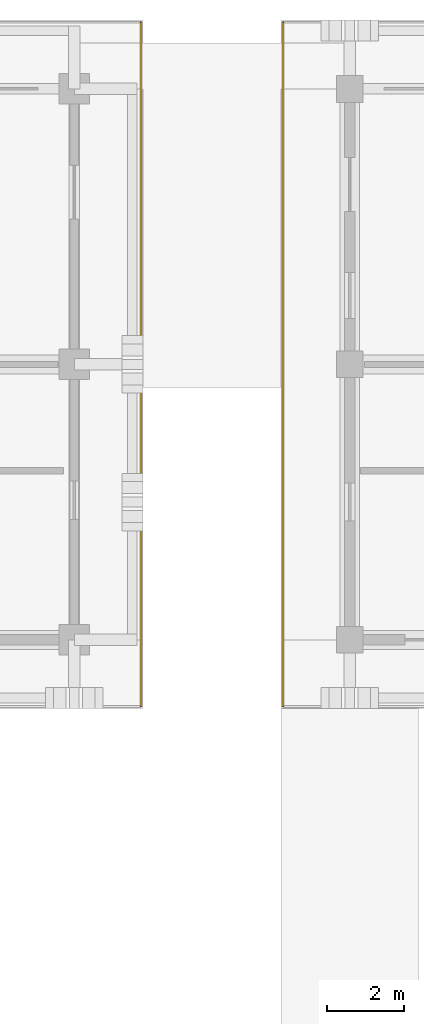
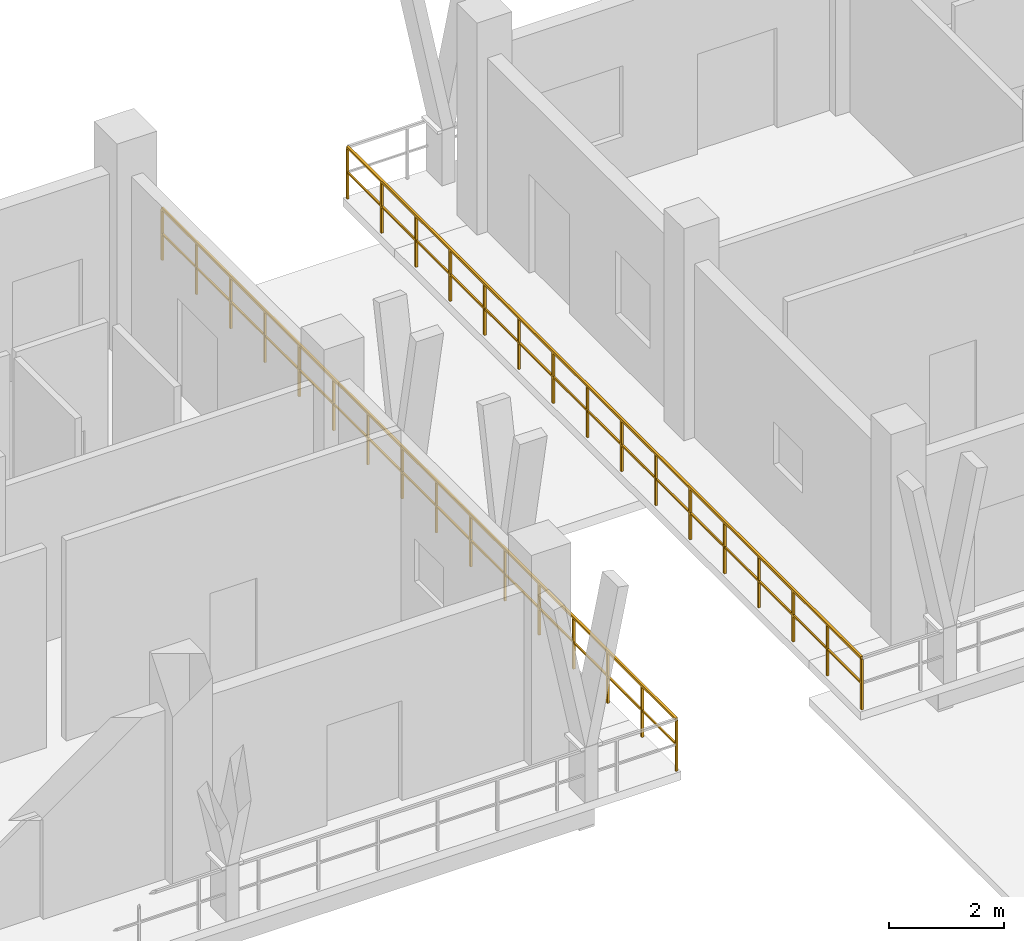
# One storey, part 103 of 110: 2 railings.
"""IFC4 building model written with IfcOpenShell, lengths in metres."""

import ifcopenshell
import ifcopenshell.guid

model = None  # the IFC model being written
_history = None  # IfcOwnerHistory: only IFC2X3 demands one
_inside = {}  # id of a spatial element -> (the spatial element, [elements in it])
_under = {}  # id of a project, library or spatial element -> (it, [spatial elements below it])
_declared = {}  # id of a project -> (the project, [libraries it declares])
_typed = {}  # id of a type object -> (the type object, [elements of that type])
_made_of = {}  # id of a material, layer set ... -> (it, [elements and type objects made of it])


def new_model(schema):
    """Start an empty IFC model of exactly this schema.

    Asked for "IFC4X3", IfcOpenShell would pick the latest addendum, in which some entities
    have other attributes; the version numbers below select the first issue.
    IFC2X3 requires an IfcOwnerHistory on every rooted entity: one is made here for all.
    """
    global model, _history
    if schema == "IFC4X3":
        model = ifcopenshell.file(schema_version=(4, 3, 0, 0))
    else:
        model = ifcopenshell.file(schema=schema)
    _inside.clear()
    _under.clear()
    _declared.clear()
    _typed.clear()
    _made_of.clear()
    _history = None
    if model.schema == "IFC2X3":
        org = make("IfcOrganization", Name="unknown")
        user = make(
            "IfcPersonAndOrganization",
            ThePerson=make("IfcPerson", FamilyName="unknown"),
            TheOrganization=org,
        )
        app = make(
            "IfcApplication",
            ApplicationDeveloper=org,
            Version="unknown",
            ApplicationFullName="unknown",
            ApplicationIdentifier="unknown",
        )
        _history = make(
            "IfcOwnerHistory",
            OwningUser=user,
            OwningApplication=app,
            ChangeAction="ADDED",
            CreationDate=0,
        )
    return model


def make(cls, **values):
    """One entity of the class cls with the attributes given. An attribute that is None is left unset."""
    return model.create_entity(
        cls, **{name: value for name, value in values.items() if value is not None}
    )


def rooted(cls, **values):
    """An entity with a GlobalId (a new one), such as an element, a storey or a relation."""
    return make(cls, GlobalId=ifcopenshell.guid.new(), OwnerHistory=_history, **values)


def si_unit(unit_type, name, prefix=None):
    """IfcSIUnit, for example si_unit("LENGTHUNIT", "METRE", prefix="MILLI")."""
    return make("IfcSIUnit", UnitType=unit_type, Prefix=prefix, Name=name)


def assignment(units):
    """IfcUnitAssignment: the units of a project."""
    return None if units is None else make("IfcUnitAssignment", Units=units)


def point(xyz):
    """IfcCartesianPoint."""
    return None if xyz is None else make("IfcCartesianPoint", Coordinates=xyz)


def direction(xyz):
    """IfcDirection."""
    return None if xyz is None else make("IfcDirection", DirectionRatios=xyz)


def frame(location, z_axis=None, x_axis=None):
    """IfcAxis2Placement3D, a coordinate frame: its origin and axes. An axis left out is left unset."""
    return make(
        "IfcAxis2Placement3D",
        Location=point(location),
        Axis=direction(z_axis),
        RefDirection=direction(x_axis),
    )


def frame_2d(location, x_axis=None):
    """IfcAxis2Placement2D, a coordinate frame in the plane: its origin and x axis."""
    return make(
        "IfcAxis2Placement2D", Location=point(location), RefDirection=direction(x_axis)
    )


def origin():
    """The frame at (0, 0, 0) with its axes left unset."""
    return frame((0.0, 0.0, 0.0))


def origin_2d():
    """The frame at (0, 0) in the plane with its x axis left unset."""
    return frame_2d((0.0, 0.0))


def place(relative_to, where):
    """IfcLocalPlacement: puts the frame where relative to a parent placement (None: the world)."""
    return make(
        "IfcLocalPlacement", PlacementRelTo=relative_to, RelativePlacement=where
    )


def context(
    kind, dimensions, precision=None, world=None, true_north=None, identifier=None
):
    """IfcGeometricRepresentationContext, for example the 3D "Model" context."""
    return make(
        "IfcGeometricRepresentationContext",
        ContextIdentifier=identifier,
        ContextType=kind,
        CoordinateSpaceDimension=dimensions,
        Precision=precision,
        WorldCoordinateSystem=world,
        TrueNorth=true_north,
    )


def subcontext(parent, identifier, kind, view, scale=None):
    """IfcGeometricRepresentationSubContext, for example "Body" below "Model"."""
    return make(
        "IfcGeometricRepresentationSubContext",
        ContextIdentifier=identifier,
        ContextType=kind,
        ParentContext=parent,
        TargetScale=scale,
        TargetView=view,
    )


def project(units=None, contexts=None):
    """IfcProject with its units and contexts."""
    return rooted(
        "IfcProject",
        Name="project",
        RepresentationContexts=contexts,
        UnitsInContext=assignment(units),
    )


def spatial(cls, under=None, at=None, **own):
    """A site, building, storey or space (cls), placed at a placement, below another one or the project."""
    s = rooted(cls, ObjectPlacement=at, **own)
    if under is not None:
        _under.setdefault(under.id(), (under, []))[1].append(s)
    return s


def profile(cls, at=None, kind="AREA", **sizes):
    """A parametric profile (cls). Its sizes go by their IFC names, for example OverallWidth=200.0."""
    return make(cls, ProfileType=kind, Position=at, **sizes)


def rectangle(**sizes):
    """IfcRectangleProfileDef."""
    return profile("IfcRectangleProfileDef", **sizes)


def extrude(swept, where, along, depth):
    """IfcExtrudedAreaSolid: the profile swept, set in the frame where, extruded along a direction by depth."""
    return make(
        "IfcExtrudedAreaSolid",
        SweptArea=swept,
        Position=where,
        ExtrudedDirection=direction(along),
        Depth=depth,
    )


def shape(context_of_items, identifier, shape_type, items):
    """IfcShapeRepresentation: the items that make up one representation, for example the "Body"."""
    return make(
        "IfcShapeRepresentation",
        ContextOfItems=context_of_items,
        RepresentationIdentifier=identifier,
        RepresentationType=shape_type,
        Items=items,
    )


def material(Name=None, Category=None):
    """IfcMaterial."""
    return make("IfcMaterial", Name=Name, Category=Category)


def made_of(thing, what):
    """Note that an element or type object is made of a material, layer set ...; save() writes the relation."""
    if what is not None:
        _made_of.setdefault(what.id(), (what, []))[1].append(thing)
    return thing


def type_object(cls, material=None, **own):
    """A type object (cls), such as IfcWallType, which elements share."""
    return made_of(rooted(cls, **own), material)


def element(
    cls,
    number,
    at=None,
    inside=None,
    cuts=None,
    type_object=None,
    material=None,
    context=None,
    identifier="Body",
    shape_type=None,
    held_by="IfcProductDefinitionShape",
    body=None,
    shapes=None,
    **own,
):
    """One element of the class cls, such as IfcWall. Its Tag is "e" and its number.

    at: its placement. inside: the storey or other place that contains it. cuts: it is an
    opening in that element (IfcRelVoidsElement). A single representation is given by context,
    identifier, shape_type and body (its items); several are given by shapes. held_by: the class
    of the entity that holds the representations. save() writes the other relations.
    """
    e = rooted(cls, Tag="e%d" % number, ObjectPlacement=at, **own)
    if body is not None:
        shapes = [shape(context, identifier, shape_type, body)]
    if shapes is not None:
        e.Representation = make(held_by, Representations=shapes)
    if inside is not None:
        _inside.setdefault(inside.id(), (inside, []))[1].append(e)
    if cuts is not None:
        rooted(
            "IfcRelVoidsElement", RelatingBuildingElement=cuts, RelatedOpeningElement=e
        )
    if type_object is not None:
        _typed.setdefault(type_object.id(), (type_object, []))[1].append(e)
    return made_of(e, material)


def aggregate(whole, parts):
    """IfcRelAggregates: a whole, such as a stair, and the parts it consists of."""
    return rooted("IfcRelAggregates", RelatingObject=whole, RelatedObjects=parts)


def save(model, path):
    """Write the relations noted so far, then the file.

    IfcRelAggregates (storeys below a building ...), IfcRelContainedInSpatialStructure (elements
    in a storey), IfcRelDefinesByType, IfcRelAssociatesMaterial and IfcRelDeclares: one each for
    every whole, place, type object, material and project.
    """
    for whole, parts in _under.values():
        aggregate(whole, parts)
    for where, things in _inside.values():
        rooted(
            "IfcRelContainedInSpatialStructure",
            RelatedElements=things,
            RelatingStructure=where,
        )
    for kind, things in _typed.values():
        rooted("IfcRelDefinesByType", RelatedObjects=things, RelatingType=kind)
    for what, things in _made_of.values():
        rooted("IfcRelAssociatesMaterial", RelatedObjects=things, RelatingMaterial=what)
    for by, libraries in _declared.values():
        rooted("IfcRelDeclares", RelatingContext=by, RelatedDefinitions=libraries)
    model.write(path)


model = new_model("IFC4")

# Units and contexts
model_context = context("Model", 3, precision=1e-05, world=origin(), true_north=direction((0.0, 1.0)))
body_context = subcontext(model_context, "Body", "Model", "MODEL_VIEW")
ifc_project = project(units=[si_unit("LENGTHUNIT", "METRE"), si_unit("AREAUNIT", "SQUARE_METRE"), si_unit("VOLUMEUNIT", "CUBIC_METRE"), si_unit("PLANEANGLEUNIT", "RADIAN"), si_unit("MASSUNIT", "GRAM", prefix="KILO")], contexts=[model_context])

# Site, building, storey
site_placement = place(None, origin())
site = spatial("IfcSite", under=ifc_project, at=site_placement, CompositionType="ELEMENT")
building_placement = place(site_placement, origin())
building = spatial("IfcBuilding", under=site, at=building_placement, Name="Suanplinth Sawtooth Commons", CompositionType="ELEMENT")
storey_placement = place(building_placement, frame((0.0, 0.0, 4.5)))
storey = spatial("IfcBuildingStorey", under=building, at=storey_placement, Name="L01", CompositionType="ELEMENT", Elevation=4.5)

# Railings
ifc_material = material(Name="Powder-coated galvanized steel", Category="steel")
railing_type = type_object("IfcRailingType", Name="GR-01", PredefinedType="BALUSTRADE", material=ifc_material)
railing_1_placement = place(storey_placement, frame((116.93994140625, 124.139892578125, 0.0)))
element("IfcRailing", 1, at=railing_1_placement, inside=storey, type_object=railing_type, Name="L01 Block A Perimeter Balustrade 3", PredefinedType="BALUSTRADE", context=body_context, shape_type="SweptSolid", body=[
    extrude(rectangle(XDim=0.048095703125, YDim=0.048095703125, at=origin_2d()), frame((0.0, 0.0, 1.09619140625), z_axis=(0.0, -1.0, 0.0), x_axis=(1.0, 0.0, 0.0)), (0.0, 0.0, 1.0), 17.8798828125),
    extrude(rectangle(XDim=0.03369140625, YDim=0.03369140625, at=origin_2d()), frame((0.0, 0.0, 0.56005859375), z_axis=(0.0, -1.0, 0.0), x_axis=(1.0, 0.0, 0.0)), (0.0, 0.0, 1.0), 17.8798828125),
    extrude(rectangle(XDim=0.0419921875, YDim=0.0419921875, at=origin_2d()), origin(), (0.0, 0.0, 1.0), 1.072021484375),
    extrude(rectangle(XDim=0.0419921875, YDim=0.0419921875, at=origin_2d()), frame((0.0, -1.19189453125, 0.0)), (0.0, 0.0, 1.0), 1.072021484375),
    extrude(rectangle(XDim=0.0419921875, YDim=0.0419921875, at=origin_2d()), frame((0.0, -2.384033203125, 0.0)), (0.0, 0.0, 1.0), 1.072021484375),
    extrude(rectangle(XDim=0.0419921875, YDim=0.0419921875, at=origin_2d()), frame((0.0, -3.575927734375, 0.0)), (0.0, 0.0, 1.0), 1.072021484375),
    extrude(rectangle(XDim=0.0419921875, YDim=0.0419921875, at=origin_2d()), frame((0.0, -4.76806640625, 0.0)), (0.0, 0.0, 1.0), 1.072021484375),
    extrude(rectangle(XDim=0.0419921875, YDim=0.0419921875, at=origin_2d()), frame((0.0, -5.9599609375, 0.0)), (0.0, 0.0, 1.0), 1.072021484375),
    extrude(rectangle(XDim=0.0419921875, YDim=0.0419921875, at=origin_2d()), frame((0.0, -7.15185546875, 0.0)), (0.0, 0.0, 1.0), 1.072021484375),
    extrude(rectangle(XDim=0.0419921875, YDim=0.0419921875, at=origin_2d()), frame((0.0, -8.343994140625, 0.0)), (0.0, 0.0, 1.0), 1.072021484375),
    extrude(rectangle(XDim=0.0419921875, YDim=0.0419921875, at=origin_2d()), frame((0.0, -9.535888671875, 0.0)), (0.0, 0.0, 1.0), 1.072021484375),
    extrude(rectangle(XDim=0.0419921875, YDim=0.0419921875, at=origin_2d()), frame((0.0, -10.72802734375, 0.0)), (0.0, 0.0, 1.0), 1.072021484375),
    extrude(rectangle(XDim=0.0419921875, YDim=0.0419921875, at=origin_2d()), frame((0.0, -11.919921875, 0.0)), (0.0, 0.0, 1.0), 1.072021484375),
    extrude(rectangle(XDim=0.0419921875, YDim=0.0419921875, at=origin_2d()), frame((0.0, -13.11181640625, 0.0)), (0.0, 0.0, 1.0), 1.072021484375),
    extrude(rectangle(XDim=0.0419921875, YDim=0.0419921875, at=origin_2d()), frame((0.0, -14.303955078125, 0.0)), (0.0, 0.0, 1.0), 1.072021484375),
    extrude(rectangle(XDim=0.0419921875, YDim=0.0419921875, at=origin_2d()), frame((0.0, -15.495849609375, 0.0)), (0.0, 0.0, 1.0), 1.072021484375),
    extrude(rectangle(XDim=0.0419921875, YDim=0.0419921875, at=origin_2d()), frame((0.0, -16.68798828125, 0.0)), (0.0, 0.0, 1.0), 1.072021484375),
    extrude(rectangle(XDim=0.0419921875, YDim=0.0419921875, at=origin_2d()), frame((0.0, -17.8798828125, 0.0)), (0.0, 0.0, 1.0), 1.072021484375),
])
railing_2_placement = place(storey_placement, frame((120.659912109375, 106.260009765625, 0.0)))
element("IfcRailing", 2, at=railing_2_placement, inside=storey, type_object=railing_type, Name="L01 Block B Perimeter Balustrade 3", PredefinedType="BALUSTRADE", context=body_context, shape_type="SweptSolid", body=[
    extrude(rectangle(XDim=0.048095703125, YDim=0.048095703125, at=origin_2d()), frame((0.0, 0.0, 1.09619140625), z_axis=(0.0, 1.0, 0.0), x_axis=(-1.0, 0.0, 0.0)), (0.0, 0.0, 1.0), 17.8798828125),
    extrude(rectangle(XDim=0.03369140625, YDim=0.03369140625, at=origin_2d()), frame((0.0, 0.0, 0.56005859375), z_axis=(0.0, 1.0, 0.0), x_axis=(-1.0, 0.0, 0.0)), (0.0, 0.0, 1.0), 17.8798828125),
    extrude(rectangle(XDim=0.0419921875, YDim=0.0419921875, at=origin_2d()), origin(), (0.0, 0.0, 1.0), 1.072021484375),
    extrude(rectangle(XDim=0.0419921875, YDim=0.0419921875, at=origin_2d()), frame((0.0, 1.19189453125, 0.0)), (0.0, 0.0, 1.0), 1.072021484375),
    extrude(rectangle(XDim=0.0419921875, YDim=0.0419921875, at=origin_2d()), frame((0.0, 2.384033203125, 0.0)), (0.0, 0.0, 1.0), 1.072021484375),
    extrude(rectangle(XDim=0.0419921875, YDim=0.0419921875, at=origin_2d()), frame((0.0, 3.575927734375, 0.0)), (0.0, 0.0, 1.0), 1.072021484375),
    extrude(rectangle(XDim=0.0419921875, YDim=0.0419921875, at=origin_2d()), frame((0.0, 4.76806640625, 0.0)), (0.0, 0.0, 1.0), 1.072021484375),
    extrude(rectangle(XDim=0.0419921875, YDim=0.0419921875, at=origin_2d()), frame((0.0, 5.9599609375, 0.0)), (0.0, 0.0, 1.0), 1.072021484375),
    extrude(rectangle(XDim=0.0419921875, YDim=0.0419921875, at=origin_2d()), frame((0.0, 7.15185546875, 0.0)), (0.0, 0.0, 1.0), 1.072021484375),
    extrude(rectangle(XDim=0.0419921875, YDim=0.0419921875, at=origin_2d()), frame((0.0, 8.343994140625, 0.0)), (0.0, 0.0, 1.0), 1.072021484375),
    extrude(rectangle(XDim=0.0419921875, YDim=0.0419921875, at=origin_2d()), frame((0.0, 9.535888671875, 0.0)), (0.0, 0.0, 1.0), 1.072021484375),
    extrude(rectangle(XDim=0.0419921875, YDim=0.0419921875, at=origin_2d()), frame((0.0, 10.72802734375, 0.0)), (0.0, 0.0, 1.0), 1.072021484375),
    extrude(rectangle(XDim=0.0419921875, YDim=0.0419921875, at=origin_2d()), frame((0.0, 11.919921875, 0.0)), (0.0, 0.0, 1.0), 1.072021484375),
    extrude(rectangle(XDim=0.0419921875, YDim=0.0419921875, at=origin_2d()), frame((0.0, 13.11181640625, 0.0)), (0.0, 0.0, 1.0), 1.072021484375),
    extrude(rectangle(XDim=0.0419921875, YDim=0.0419921875, at=origin_2d()), frame((0.0, 14.303955078125, 0.0)), (0.0, 0.0, 1.0), 1.072021484375),
    extrude(rectangle(XDim=0.0419921875, YDim=0.0419921875, at=origin_2d()), frame((0.0, 15.495849609375, 0.0)), (0.0, 0.0, 1.0), 1.072021484375),
    extrude(rectangle(XDim=0.0419921875, YDim=0.0419921875, at=origin_2d()), frame((0.0, 16.68798828125, 0.0)), (0.0, 0.0, 1.0), 1.072021484375),
    extrude(rectangle(XDim=0.0419921875, YDim=0.0419921875, at=origin_2d()), frame((0.0, 17.8798828125, 0.0)), (0.0, 0.0, 1.0), 1.072021484375),
])

save(model, "model.ifc")
